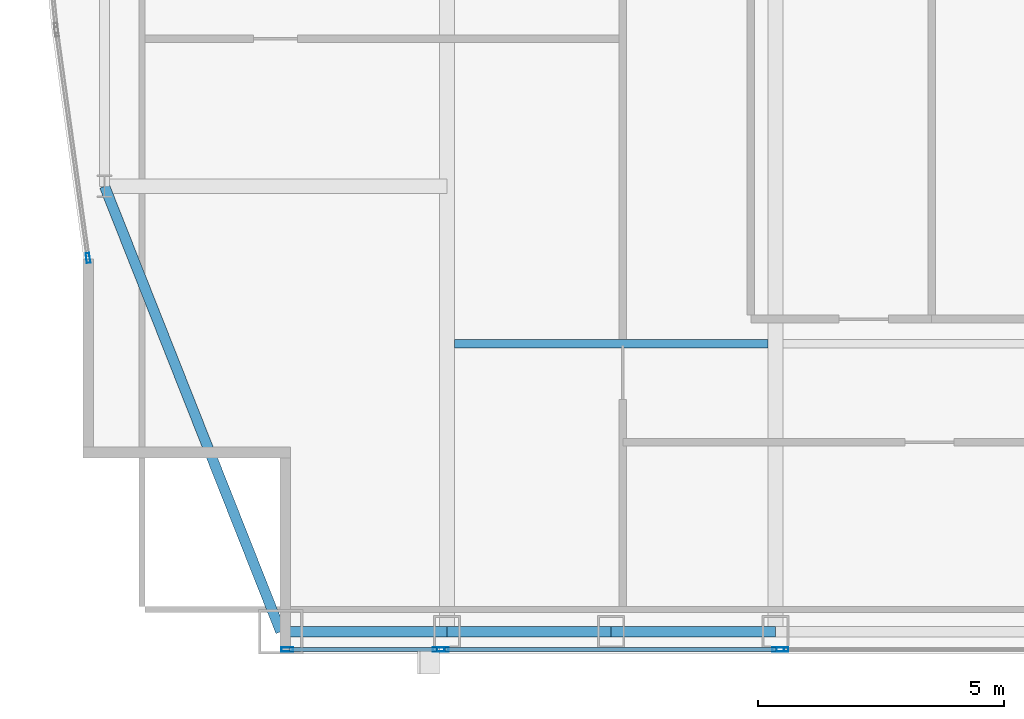
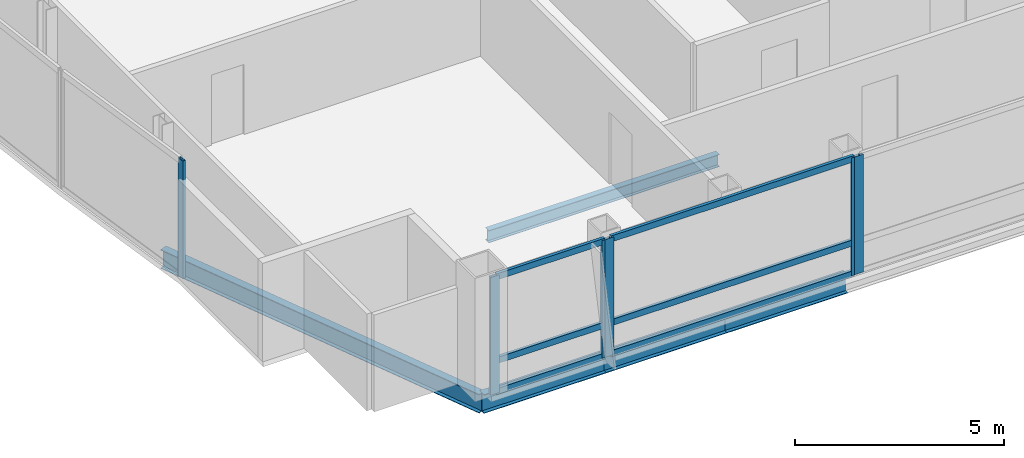
# One storey, part 4 of 26: 12 members, 5 beams, 4 elements without a shape of their own.
"""IFC4 building model written with IfcOpenShell, lengths in metres."""

import ifcopenshell
import ifcopenshell.guid

model = None  # the IFC model being written
_history = None  # IfcOwnerHistory: only IFC2X3 demands one
_inside = {}  # id of a spatial element -> (the spatial element, [elements in it])
_under = {}  # id of a project, library or spatial element -> (it, [spatial elements below it])
_declared = {}  # id of a project -> (the project, [libraries it declares])
_typed = {}  # id of a type object -> (the type object, [elements of that type])
_made_of = {}  # id of a material, layer set ... -> (it, [elements and type objects made of it])


def new_model(schema):
    """Start an empty IFC model of exactly this schema.

    Asked for "IFC4X3", IfcOpenShell would pick the latest addendum, in which some entities
    have other attributes; the version numbers below select the first issue.
    IFC2X3 requires an IfcOwnerHistory on every rooted entity: one is made here for all.
    """
    global model, _history
    if schema == "IFC4X3":
        model = ifcopenshell.file(schema_version=(4, 3, 0, 0))
    else:
        model = ifcopenshell.file(schema=schema)
    _inside.clear()
    _under.clear()
    _declared.clear()
    _typed.clear()
    _made_of.clear()
    _history = None
    if model.schema == "IFC2X3":
        org = make("IfcOrganization", Name="unknown")
        user = make(
            "IfcPersonAndOrganization",
            ThePerson=make("IfcPerson", FamilyName="unknown"),
            TheOrganization=org,
        )
        app = make(
            "IfcApplication",
            ApplicationDeveloper=org,
            Version="unknown",
            ApplicationFullName="unknown",
            ApplicationIdentifier="unknown",
        )
        _history = make(
            "IfcOwnerHistory",
            OwningUser=user,
            OwningApplication=app,
            ChangeAction="ADDED",
            CreationDate=0,
        )
    return model


def make(cls, **values):
    """One entity of the class cls with the attributes given. An attribute that is None is left unset."""
    return model.create_entity(
        cls, **{name: value for name, value in values.items() if value is not None}
    )


def rooted(cls, **values):
    """An entity with a GlobalId (a new one), such as an element, a storey or a relation."""
    return make(cls, GlobalId=ifcopenshell.guid.new(), OwnerHistory=_history, **values)


def si_unit(unit_type, name, prefix=None):
    """IfcSIUnit, for example si_unit("LENGTHUNIT", "METRE", prefix="MILLI")."""
    return make("IfcSIUnit", UnitType=unit_type, Prefix=prefix, Name=name)


def assignment(units):
    """IfcUnitAssignment: the units of a project."""
    return None if units is None else make("IfcUnitAssignment", Units=units)


def point(xyz):
    """IfcCartesianPoint."""
    return None if xyz is None else make("IfcCartesianPoint", Coordinates=xyz)


def direction(xyz):
    """IfcDirection."""
    return None if xyz is None else make("IfcDirection", DirectionRatios=xyz)


def frame(location, z_axis=None, x_axis=None):
    """IfcAxis2Placement3D, a coordinate frame: its origin and axes. An axis left out is left unset."""
    return make(
        "IfcAxis2Placement3D",
        Location=point(location),
        Axis=direction(z_axis),
        RefDirection=direction(x_axis),
    )


def frame_2d(location, x_axis=None):
    """IfcAxis2Placement2D, a coordinate frame in the plane: its origin and x axis."""
    return make(
        "IfcAxis2Placement2D", Location=point(location), RefDirection=direction(x_axis)
    )


def origin():
    """The frame at (0, 0, 0) with its axes left unset."""
    return frame((0.0, 0.0, 0.0))


def origin_2d():
    """The frame at (0, 0) in the plane with its x axis left unset."""
    return frame_2d((0.0, 0.0))


def place(relative_to, where):
    """IfcLocalPlacement: puts the frame where relative to a parent placement (None: the world)."""
    return make(
        "IfcLocalPlacement", PlacementRelTo=relative_to, RelativePlacement=where
    )


def context(
    kind, dimensions, precision=None, world=None, true_north=None, identifier=None
):
    """IfcGeometricRepresentationContext, for example the 3D "Model" context."""
    return make(
        "IfcGeometricRepresentationContext",
        ContextIdentifier=identifier,
        ContextType=kind,
        CoordinateSpaceDimension=dimensions,
        Precision=precision,
        WorldCoordinateSystem=world,
        TrueNorth=true_north,
    )


def subcontext(parent, identifier, kind, view, scale=None):
    """IfcGeometricRepresentationSubContext, for example "Body" below "Model"."""
    return make(
        "IfcGeometricRepresentationSubContext",
        ContextIdentifier=identifier,
        ContextType=kind,
        ParentContext=parent,
        TargetScale=scale,
        TargetView=view,
    )


def project(units=None, contexts=None):
    """IfcProject with its units and contexts."""
    return rooted(
        "IfcProject",
        Name="project",
        RepresentationContexts=contexts,
        UnitsInContext=assignment(units),
    )


def spatial(cls, under=None, at=None, **own):
    """A site, building, storey or space (cls), placed at a placement, below another one or the project."""
    s = rooted(cls, ObjectPlacement=at, **own)
    if under is not None:
        _under.setdefault(under.id(), (under, []))[1].append(s)
    return s


def profile(cls, at=None, kind="AREA", **sizes):
    """A parametric profile (cls). Its sizes go by their IFC names, for example OverallWidth=200.0."""
    return make(cls, ProfileType=kind, Position=at, **sizes)


def hollow_rectangle(**sizes):
    """IfcRectangleHollowProfileDef."""
    return profile("IfcRectangleHollowProfileDef", **sizes)


def i_section(**sizes):
    """IfcIShapeProfileDef."""
    return profile("IfcIShapeProfileDef", **sizes)


def extrude(swept, where, along, depth):
    """IfcExtrudedAreaSolid: the profile swept, set in the frame where, extruded along a direction by depth."""
    return make(
        "IfcExtrudedAreaSolid",
        SweptArea=swept,
        Position=where,
        ExtrudedDirection=direction(along),
        Depth=depth,
    )


def shape(context_of_items, identifier, shape_type, items):
    """IfcShapeRepresentation: the items that make up one representation, for example the "Body"."""
    return make(
        "IfcShapeRepresentation",
        ContextOfItems=context_of_items,
        RepresentationIdentifier=identifier,
        RepresentationType=shape_type,
        Items=items,
    )


def material(Name=None, Category=None):
    """IfcMaterial."""
    return make("IfcMaterial", Name=Name, Category=Category)


def material_profile(
    of_material, cross_section, Name=None, Category=None, Priority=None
):
    """IfcMaterialProfile: a cross section and its material."""
    return make(
        "IfcMaterialProfile",
        Name=Name,
        Material=of_material,
        Profile=cross_section,
        Priority=Priority,
        Category=Category,
    )


def profile_set(profiles, Name=None, composite=None):
    """IfcMaterialProfileSet."""
    return make(
        "IfcMaterialProfileSet",
        Name=Name,
        MaterialProfiles=profiles,
        CompositeProfile=composite,
    )


def made_of(thing, what):
    """Note that an element or type object is made of a material, layer set ...; save() writes the relation."""
    if what is not None:
        _made_of.setdefault(what.id(), (what, []))[1].append(thing)
    return thing


def type_object(cls, material=None, **own):
    """A type object (cls), such as IfcWallType, which elements share."""
    return made_of(rooted(cls, **own), material)


def element(
    cls,
    number,
    at=None,
    inside=None,
    cuts=None,
    type_object=None,
    material=None,
    context=None,
    identifier="Body",
    shape_type=None,
    held_by="IfcProductDefinitionShape",
    body=None,
    shapes=None,
    **own,
):
    """One element of the class cls, such as IfcWall. Its Tag is "e" and its number.

    at: its placement. inside: the storey or other place that contains it. cuts: it is an
    opening in that element (IfcRelVoidsElement). A single representation is given by context,
    identifier, shape_type and body (its items); several are given by shapes. held_by: the class
    of the entity that holds the representations. save() writes the other relations.
    """
    e = rooted(cls, Tag="e%d" % number, ObjectPlacement=at, **own)
    if body is not None:
        shapes = [shape(context, identifier, shape_type, body)]
    if shapes is not None:
        e.Representation = make(held_by, Representations=shapes)
    if inside is not None:
        _inside.setdefault(inside.id(), (inside, []))[1].append(e)
    if cuts is not None:
        rooted(
            "IfcRelVoidsElement", RelatingBuildingElement=cuts, RelatedOpeningElement=e
        )
    if type_object is not None:
        _typed.setdefault(type_object.id(), (type_object, []))[1].append(e)
    return made_of(e, material)


def aggregate(whole, parts):
    """IfcRelAggregates: a whole, such as a stair, and the parts it consists of."""
    return rooted("IfcRelAggregates", RelatingObject=whole, RelatedObjects=parts)


def save(model, path):
    """Write the relations noted so far, then the file.

    IfcRelAggregates (storeys below a building ...), IfcRelContainedInSpatialStructure (elements
    in a storey), IfcRelDefinesByType, IfcRelAssociatesMaterial and IfcRelDeclares: one each for
    every whole, place, type object, material and project.
    """
    for whole, parts in _under.values():
        aggregate(whole, parts)
    for where, things in _inside.values():
        rooted(
            "IfcRelContainedInSpatialStructure",
            RelatedElements=things,
            RelatingStructure=where,
        )
    for kind, things in _typed.values():
        rooted("IfcRelDefinesByType", RelatedObjects=things, RelatingType=kind)
    for what, things in _made_of.values():
        rooted("IfcRelAssociatesMaterial", RelatedObjects=things, RelatingMaterial=what)
    for by, libraries in _declared.values():
        rooted("IfcRelDeclares", RelatingContext=by, RelatedDefinitions=libraries)
    model.write(path)


model = new_model("IFC4")

# Units and contexts
model_context = context("Model", 3, precision=1e-05, world=origin(), true_north=direction((0.0, 1.0)))
body_context = subcontext(model_context, "Body", "Model", "MODEL_VIEW")
ifc_project = project(units=[si_unit("LENGTHUNIT", "METRE"), si_unit("AREAUNIT", "SQUARE_METRE"), si_unit("VOLUMEUNIT", "CUBIC_METRE"), si_unit("PLANEANGLEUNIT", "RADIAN"), si_unit("MASSUNIT", "GRAM", prefix="KILO")], contexts=[model_context])

# Site, building, storey
site_placement = place(None, origin())
site = spatial("IfcSite", under=ifc_project, at=site_placement, CompositionType="ELEMENT")
building_placement = place(site_placement, origin())
building = spatial("IfcBuilding", under=site, at=building_placement, Name="Khoronbel Lancet Exchange", CompositionType="ELEMENT")
storey_placement = place(building_placement, frame((0.0, 0.0, 339.800048828125)))
storey = spatial("IfcBuildingStorey", under=building, at=storey_placement, Name="L88", CompositionType="ELEMENT", Elevation=339.800048828125)

# Beams
ifc_material_1 = material(Name="Steel S355", Category="steel")
ifc_material_profile_1 = material_profile(ifc_material_1, i_section(OverallWidth=0.169921875, OverallDepth=0.360107421875, WebThickness=0.008056640625, FlangeThickness=0.0126953125, at=origin_2d()), Name="IPE 360")
ifc_profile_set_1 = profile_set([ifc_material_profile_1], Name="Steel S355")
beam_type_1 = type_object("IfcBeamType", Name="BM-BJ6", PredefinedType="JOIST", material=ifc_profile_set_1)
beam_1_placement = place(storey_placement, frame((18.375, 16.0, -0.340087890625), z_axis=(1.0, 0.0, 0.0), x_axis=(0.0, 1.0, 0.0)))
element("IfcBeam", 1, at=beam_1_placement, inside=storey, type_object=beam_type_1, Name="Level L88 secondary composite joist J01", PredefinedType="JOIST", context=body_context, shape_type="SweptSolid", body=[
    extrude(i_section(OverallWidth=0.169921875, OverallDepth=0.360107421875, WebThickness=0.008056640625, FlangeThickness=0.0126953125, at=origin_2d()), origin(), (0.0, 0.0, 1.0), 6.375),
])
ifc_material_profile_2 = material_profile(ifc_material_1, i_section(OverallWidth=0.2099609375, OverallDepth=0.550048828125, WebThickness=0.010986328125, FlangeThickness=0.01708984375, at=origin_2d()), Name="IPE 550")
ifc_profile_set_2 = profile_set([ifc_material_profile_2], Name="Steel S355")
beam_type_2 = type_object("IfcBeamType", Name="BM-BSP3", PredefinedType="SPANDREL", material=ifc_profile_set_2)
beam_2_placement = place(storey_placement, frame((14.85009765625, 10.14990234375, -0.43505859375), z_axis=(1.0, 0.0, 0.0), x_axis=(0.0, 1.0, 0.0)))
element("IfcBeam", 2, at=beam_2_placement, inside=storey, type_object=beam_type_2, Name="Level L88 perimeter spandrel beam SP01", PredefinedType="SPANDREL", context=body_context, shape_type="SweptSolid", body=[
    extrude(i_section(OverallWidth=0.2099609375, OverallDepth=0.550048828125, WebThickness=0.010986328125, FlangeThickness=0.01708984375, at=origin_2d()), origin(), (0.0, 0.0, 1.0), 3.375),
])
for number, where, z_axis, x_axis, name in (
    (3, (18.22509765625, 10.14990234375, -0.43505859375), (1.0, 0.0, 0.0), (0.0, 1.0, 0.0), "Level L88 perimeter spandrel beam SP02"),
    (4, (21.5625, 10.14990234375, -0.43505859375), (1.0, 0.0, 0.0), (0.0, 1.0, 0.0), "Level L88 perimeter spandrel beam SP03"),
):
    element("IfcBeam", number, at=place(storey_placement, frame(where, z_axis=z_axis, x_axis=x_axis)), inside=storey, type_object=beam_type_2, Name=name, PredefinedType="SPANDREL", context=body_context, shape_type="SweptSolid", body=[
        extrude(i_section(OverallWidth=0.2099609375, OverallDepth=0.550048828125, WebThickness=0.010986328125, FlangeThickness=0.01708984375, at=origin_2d()), origin(), (0.0, 0.0, 1.0), 3.33740234375),
    ])
beam_3_placement = place(storey_placement, frame((11.27001953125, 19.199951171875, -0.43505859375), z_axis=(0.367850095026, -0.92988510451, 0.0), x_axis=(0.92988510451, 0.367850095026, 0.0)))
element("IfcBeam", 5, at=beam_3_placement, inside=storey, type_object=beam_type_2, Name="Level L88 perimeter spandrel beam SP19", PredefinedType="SPANDREL", context=body_context, shape_type="SweptSolid", body=[
    extrude(i_section(OverallWidth=0.2099609375, OverallDepth=0.550048828125, WebThickness=0.010986328125, FlangeThickness=0.01708984375, at=origin_2d()), origin(), (0.0, 0.0, 1.0), 9.732421875),
])

# Curtain wall, members
ifc_material_2 = material(Name="Low-E Solar Control Insulating Glass", Category="glass")
curtain_wall_type_1 = type_object("IfcCurtainWallType", Name="CW-3", PredefinedType="NOTDEFINED", material=ifc_material_2)
curtain_wall_1_placement = place(storey_placement, origin())
curtain_wall_1 = element("IfcCurtainWall", 6, at=curtain_wall_1_placement, inside=storey, type_object=curtain_wall_type_1, Name="Unitised curtain wall CW-L88-SWV", PredefinedType="NOTDEFINED")
ifc_material_3 = material(Name="Bronze-Anodised Aluminium 6063-T6", Category="aluminium")
ifc_material_profile_3 = material_profile(ifc_material_3, hollow_rectangle(XDim=0.0849609375, YDim=0.239990234375, WallThickness=0.006103515625, at=origin_2d()), Name="ALU MULLION 85x240")
ifc_profile_set_3 = profile_set([ifc_material_profile_3], Name="Bronze-Anodised Aluminium 6063-T6")
member_type_1 = type_object("IfcMemberType", Name="MEM-CWM1", PredefinedType="MULLION", material=ifc_profile_set_3)
member_1_placement = place(storey_placement, frame((14.982421875, 9.7900390625, 0.0), z_axis=(0.0, 0.0, 1.0), x_axis=(0.0, 1.0, 0.0)))
member_1 = element("IfcMember", 7, at=member_1_placement, type_object=member_type_1, Name="CW3 mullion 1", PredefinedType="MULLION", context=body_context, shape_type="SweptSolid", body=[
    extrude(hollow_rectangle(XDim=0.0849609375, YDim=0.239990234375, WallThickness=0.006103515625, at=origin_2d()), origin(), (0.0, 0.0, 1.0), 3.43994140625),
])
member_2_placement = place(storey_placement, frame((18.0576171875, 9.7900390625, 0.0), z_axis=(0.0, 0.0, 1.0), x_axis=(0.0, 1.0, 0.0)))
member_2 = element("IfcMember", 8, at=member_2_placement, type_object=member_type_1, Name="CW3 mullion 2", PredefinedType="MULLION", context=body_context, shape_type="SweptSolid", body=[
    extrude(hollow_rectangle(XDim=0.0849609375, YDim=0.239990234375, WallThickness=0.006103515625, at=origin_2d()), origin(), (0.0, 0.0, 1.0), 3.43994140625),
])

curtain_wall_2_placement = place(storey_placement, origin())
curtain_wall_2 = element("IfcCurtainWall", 9, at=curtain_wall_2_placement, inside=storey, type_object=curtain_wall_type_1, Name="Unitised curtain wall CW-L88-SWB", PredefinedType="NOTDEFINED")
member_3_placement = place(storey_placement, frame((18.142578125, 9.7900390625, 0.0), z_axis=(0.0, 0.0, 1.0), x_axis=(0.0, 1.0, 0.0)))
member_3 = element("IfcMember", 10, at=member_3_placement, type_object=member_type_1, Name="CW3 mullion 1", PredefinedType="MULLION", context=body_context, shape_type="SweptSolid", body=[
    extrude(hollow_rectangle(XDim=0.0849609375, YDim=0.239990234375, WallThickness=0.006103515625, at=origin_2d()), origin(), (0.0, 0.0, 1.0), 3.43994140625),
])
member_4_placement = place(storey_placement, frame((24.95751953125, 9.7900390625, 0.0), z_axis=(0.0, 0.0, 1.0), x_axis=(0.0, 1.0, 0.0)))
member_4 = element("IfcMember", 11, at=member_4_placement, type_object=member_type_1, Name="CW3 mullion 2", PredefinedType="MULLION", context=body_context, shape_type="SweptSolid", body=[
    extrude(hollow_rectangle(XDim=0.0849609375, YDim=0.239990234375, WallThickness=0.006103515625, at=origin_2d()), origin(), (0.0, 0.0, 1.0), 3.43994140625),
])

# Curtain wall, member
curtain_wall_3_placement = place(storey_placement, origin())
curtain_wall_3 = element("IfcCurtainWall", 12, at=curtain_wall_3_placement, inside=storey, type_object=curtain_wall_type_1, Name="Unitised curtain wall CW-L88-SCV", PredefinedType="NOTDEFINED")
member_5_placement = place(storey_placement, frame((25.04248046875, 9.7900390625, 0.0), z_axis=(0.0, 0.0, 1.0), x_axis=(0.0, 1.0, 0.0)))
member_5 = element("IfcMember", 13, at=member_5_placement, type_object=member_type_1, Name="CW3 mullion 1", PredefinedType="MULLION", context=body_context, shape_type="SweptSolid", body=[
    extrude(hollow_rectangle(XDim=0.0849609375, YDim=0.239990234375, WallThickness=0.006103515625, at=origin_2d()), origin(), (0.0, 0.0, 1.0), 3.43994140625),
])
aggregate(curtain_wall_3, [member_5])

curtain_wall_type_2 = type_object("IfcCurtainWallType", Name="CW-4", PredefinedType="NOTDEFINED", material=ifc_material_2)
curtain_wall_4_placement = place(storey_placement, origin())
curtain_wall_4 = element("IfcCurtainWall", 14, at=curtain_wall_4_placement, inside=storey, type_object=curtain_wall_type_2, Name="Unitised curtain wall CW-L88-E04", PredefinedType="NOTDEFINED")
ifc_material_profile_4 = material_profile(ifc_material_3, hollow_rectangle(XDim=0.074951171875, YDim=0.199951171875, WallThickness=0.0048828125, at=origin_2d()), Name="ALU MULLION 75x200")
ifc_profile_set_4 = profile_set([ifc_material_profile_4], Name="Bronze-Anodised Aluminium 6063-T6")
member_type_2 = type_object("IfcMemberType", Name="MEM-CWM2", PredefinedType="MULLION", material=ifc_profile_set_4)
member_6_placement = place(storey_placement, frame((10.934814453125, 17.743408203125, 0.0), z_axis=(0.0, 0.0, 1.0), x_axis=(-0.990474689219, -0.137694916451, 0.0)))
member_6 = element("IfcMember", 15, at=member_6_placement, type_object=member_type_2, Name="CW4 mullion 1", PredefinedType="MULLION", context=body_context, shape_type="SweptSolid", body=[
    extrude(hollow_rectangle(XDim=0.074951171875, YDim=0.199951171875, WallThickness=0.0048828125, at=origin_2d()), origin(), (0.0, 0.0, 1.0), 3.43994140625),
])
aggregate(curtain_wall_4, [member_6])

# Member
ifc_material_profile_5 = material_profile(ifc_material_3, hollow_rectangle(XDim=0.0849609375, YDim=0.179931640625, WallThickness=0.0048828125, at=origin_2d()), Name="ALU TRANSOM 85x180")
ifc_profile_set_5 = profile_set([ifc_material_profile_5], Name="Bronze-Anodised Aluminium 6063-T6")
member_type_3 = type_object("IfcMemberType", Name="MEM-CWT1", PredefinedType="USERDEFINED", material=ifc_profile_set_5)
member_7_placement = place(storey_placement, frame((15.02490234375, 9.7900390625, 0.04248046875), z_axis=(1.0, 0.0, 0.0), x_axis=(0.0, 1.0, 0.0)))
member_7 = element("IfcMember", 16, at=member_7_placement, type_object=member_type_3, Name="CW3 transom 1.1", ObjectType="TRANSOM", PredefinedType="USERDEFINED", context=body_context, shape_type="SweptSolid", body=[
    extrude(hollow_rectangle(XDim=0.0849609375, YDim=0.179931640625, WallThickness=0.0048828125, at=origin_2d()), origin(), (0.0, 0.0, 1.0), 2.989990234375),
])

member_8_placement = place(storey_placement, frame((15.02490234375, 9.7900390625, 0.949951171875), z_axis=(1.0, 0.0, 0.0), x_axis=(0.0, 1.0, 0.0)))
member_8 = element("IfcMember", 17, at=member_8_placement, type_object=member_type_3, Name="CW3 transom 1.2", ObjectType="TRANSOM", PredefinedType="USERDEFINED", context=body_context, shape_type="SweptSolid", body=[
    extrude(hollow_rectangle(XDim=0.0849609375, YDim=0.179931640625, WallThickness=0.0048828125, at=origin_2d()), origin(), (0.0, 0.0, 1.0), 2.989990234375),
])

member_9_placement = place(storey_placement, frame((15.02490234375, 9.7900390625, 3.3974609375), z_axis=(1.0, 0.0, 0.0), x_axis=(0.0, 1.0, 0.0)))
member_9 = element("IfcMember", 18, at=member_9_placement, type_object=member_type_3, Name="CW3 transom 1.3", ObjectType="TRANSOM", PredefinedType="USERDEFINED", context=body_context, shape_type="SweptSolid", body=[
    extrude(hollow_rectangle(XDim=0.0849609375, YDim=0.179931640625, WallThickness=0.0048828125, at=origin_2d()), origin(), (0.0, 0.0, 1.0), 2.989990234375),
])

aggregate(curtain_wall_1, [member_1, member_2, member_7, member_8, member_9])

member_10_placement = place(storey_placement, frame((18.18505859375, 9.7900390625, 0.04248046875), z_axis=(1.0, 0.0, 0.0), x_axis=(0.0, 1.0, 0.0)))
member_10 = element("IfcMember", 19, at=member_10_placement, type_object=member_type_3, Name="CW3 transom 1.1", ObjectType="TRANSOM", PredefinedType="USERDEFINED", context=body_context, shape_type="SweptSolid", body=[
    extrude(hollow_rectangle(XDim=0.0849609375, YDim=0.179931640625, WallThickness=0.0048828125, at=origin_2d()), origin(), (0.0, 0.0, 1.0), 6.72998046875),
])

member_11_placement = place(storey_placement, frame((18.18505859375, 9.7900390625, 0.949951171875), z_axis=(1.0, 0.0, 0.0), x_axis=(0.0, 1.0, 0.0)))
member_11 = element("IfcMember", 20, at=member_11_placement, type_object=member_type_3, Name="CW3 transom 1.2", ObjectType="TRANSOM", PredefinedType="USERDEFINED", context=body_context, shape_type="SweptSolid", body=[
    extrude(hollow_rectangle(XDim=0.0849609375, YDim=0.179931640625, WallThickness=0.0048828125, at=origin_2d()), origin(), (0.0, 0.0, 1.0), 6.72998046875),
])

member_12_placement = place(storey_placement, frame((18.18505859375, 9.7900390625, 3.3974609375), z_axis=(1.0, 0.0, 0.0), x_axis=(0.0, 1.0, 0.0)))
member_12 = element("IfcMember", 21, at=member_12_placement, type_object=member_type_3, Name="CW3 transom 1.3", ObjectType="TRANSOM", PredefinedType="USERDEFINED", context=body_context, shape_type="SweptSolid", body=[
    extrude(hollow_rectangle(XDim=0.0849609375, YDim=0.179931640625, WallThickness=0.0048828125, at=origin_2d()), origin(), (0.0, 0.0, 1.0), 6.72998046875),
])

aggregate(curtain_wall_2, [member_3, member_4, member_10, member_11, member_12])

save(model, "model.ifc")
